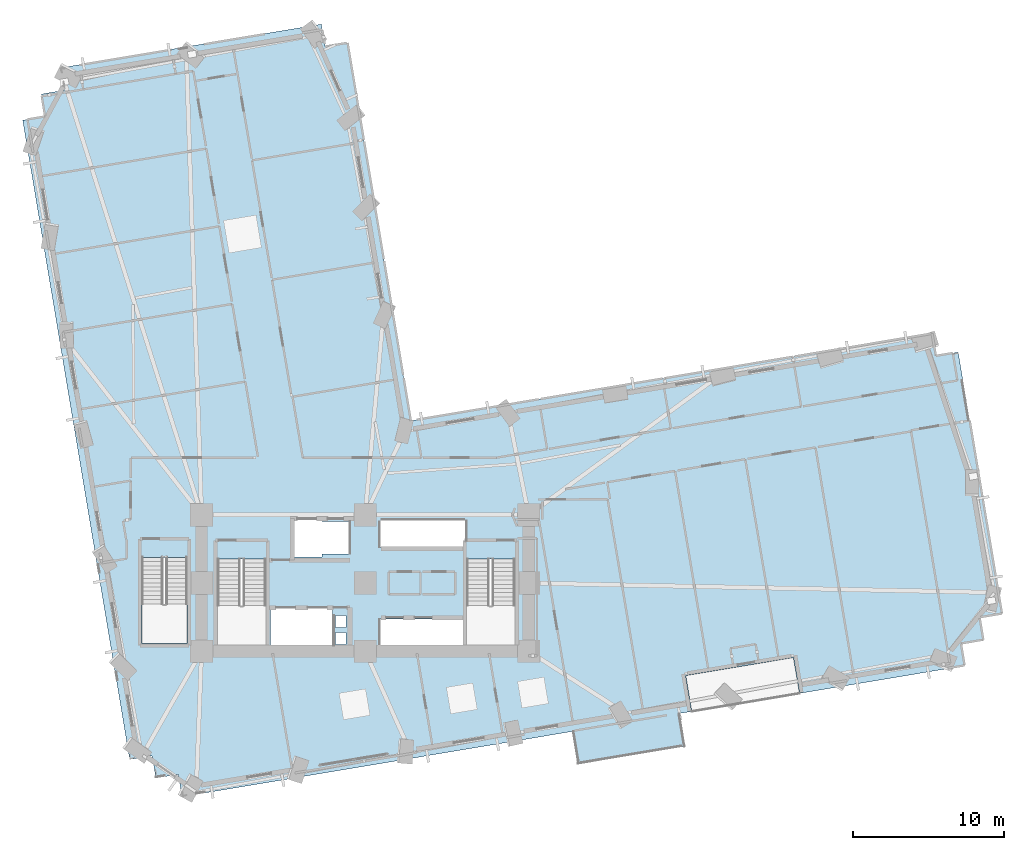
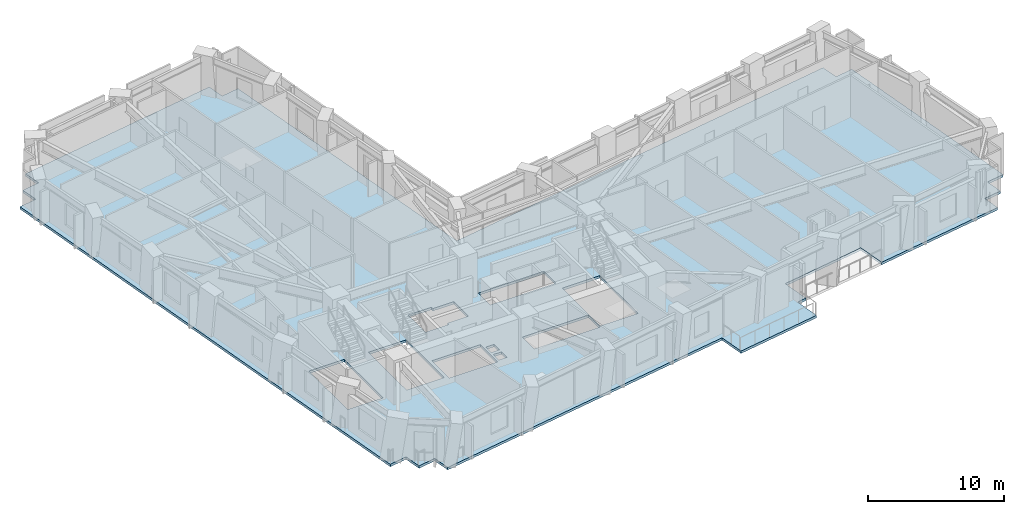
# One storey, part 5 of 16: 1 slab.
"""IFC4 building model written with IfcOpenShell, lengths in metres."""

import ifcopenshell
import ifcopenshell.guid

model = None  # the IFC model being written
_history = None  # IfcOwnerHistory: only IFC2X3 demands one
_inside = {}  # id of a spatial element -> (the spatial element, [elements in it])
_under = {}  # id of a project, library or spatial element -> (it, [spatial elements below it])
_declared = {}  # id of a project -> (the project, [libraries it declares])
_typed = {}  # id of a type object -> (the type object, [elements of that type])
_made_of = {}  # id of a material, layer set ... -> (it, [elements and type objects made of it])


def new_model(schema):
    """Start an empty IFC model of exactly this schema.

    Asked for "IFC4X3", IfcOpenShell would pick the latest addendum, in which some entities
    have other attributes; the version numbers below select the first issue.
    IFC2X3 requires an IfcOwnerHistory on every rooted entity: one is made here for all.
    """
    global model, _history
    if schema == "IFC4X3":
        model = ifcopenshell.file(schema_version=(4, 3, 0, 0))
    else:
        model = ifcopenshell.file(schema=schema)
    _inside.clear()
    _under.clear()
    _declared.clear()
    _typed.clear()
    _made_of.clear()
    _history = None
    if model.schema == "IFC2X3":
        org = make("IfcOrganization", Name="unknown")
        user = make(
            "IfcPersonAndOrganization",
            ThePerson=make("IfcPerson", FamilyName="unknown"),
            TheOrganization=org,
        )
        app = make(
            "IfcApplication",
            ApplicationDeveloper=org,
            Version="unknown",
            ApplicationFullName="unknown",
            ApplicationIdentifier="unknown",
        )
        _history = make(
            "IfcOwnerHistory",
            OwningUser=user,
            OwningApplication=app,
            ChangeAction="ADDED",
            CreationDate=0,
        )
    return model


def make(cls, **values):
    """One entity of the class cls with the attributes given. An attribute that is None is left unset."""
    return model.create_entity(
        cls, **{name: value for name, value in values.items() if value is not None}
    )


def rooted(cls, **values):
    """An entity with a GlobalId (a new one), such as an element, a storey or a relation."""
    return make(cls, GlobalId=ifcopenshell.guid.new(), OwnerHistory=_history, **values)


def si_unit(unit_type, name, prefix=None):
    """IfcSIUnit, for example si_unit("LENGTHUNIT", "METRE", prefix="MILLI")."""
    return make("IfcSIUnit", UnitType=unit_type, Prefix=prefix, Name=name)


def assignment(units):
    """IfcUnitAssignment: the units of a project."""
    return None if units is None else make("IfcUnitAssignment", Units=units)


def point(xyz):
    """IfcCartesianPoint."""
    return None if xyz is None else make("IfcCartesianPoint", Coordinates=xyz)


def direction(xyz):
    """IfcDirection."""
    return None if xyz is None else make("IfcDirection", DirectionRatios=xyz)


def frame(location, z_axis=None, x_axis=None):
    """IfcAxis2Placement3D, a coordinate frame: its origin and axes. An axis left out is left unset."""
    return make(
        "IfcAxis2Placement3D",
        Location=point(location),
        Axis=direction(z_axis),
        RefDirection=direction(x_axis),
    )


def origin():
    """The frame at (0, 0, 0) with its axes left unset."""
    return frame((0.0, 0.0, 0.0))


def place(relative_to, where):
    """IfcLocalPlacement: puts the frame where relative to a parent placement (None: the world)."""
    return make(
        "IfcLocalPlacement", PlacementRelTo=relative_to, RelativePlacement=where
    )


def context(
    kind, dimensions, precision=None, world=None, true_north=None, identifier=None
):
    """IfcGeometricRepresentationContext, for example the 3D "Model" context."""
    return make(
        "IfcGeometricRepresentationContext",
        ContextIdentifier=identifier,
        ContextType=kind,
        CoordinateSpaceDimension=dimensions,
        Precision=precision,
        WorldCoordinateSystem=world,
        TrueNorth=true_north,
    )


def subcontext(parent, identifier, kind, view, scale=None):
    """IfcGeometricRepresentationSubContext, for example "Body" below "Model"."""
    return make(
        "IfcGeometricRepresentationSubContext",
        ContextIdentifier=identifier,
        ContextType=kind,
        ParentContext=parent,
        TargetScale=scale,
        TargetView=view,
    )


def project(units=None, contexts=None):
    """IfcProject with its units and contexts."""
    return rooted(
        "IfcProject",
        Name="project",
        RepresentationContexts=contexts,
        UnitsInContext=assignment(units),
    )


def spatial(cls, under=None, at=None, **own):
    """A site, building, storey or space (cls), placed at a placement, below another one or the project."""
    s = rooted(cls, ObjectPlacement=at, **own)
    if under is not None:
        _under.setdefault(under.id(), (under, []))[1].append(s)
    return s


def polyline(points):
    """IfcPolyline through the points."""
    return make("IfcPolyline", Points=[point(p) for p in points])


def outline(outer, holes=None, kind="AREA"):
    """IfcArbitraryClosedProfileDef: a profile drawn as a closed curve; with holes, ...WithVoids."""
    if holes is None:
        return make("IfcArbitraryClosedProfileDef", ProfileType=kind, OuterCurve=outer)
    return make(
        "IfcArbitraryProfileDefWithVoids",
        ProfileType=kind,
        OuterCurve=outer,
        InnerCurves=holes,
    )


def extrude(swept, where, along, depth):
    """IfcExtrudedAreaSolid: the profile swept, set in the frame where, extruded along a direction by depth."""
    return make(
        "IfcExtrudedAreaSolid",
        SweptArea=swept,
        Position=where,
        ExtrudedDirection=direction(along),
        Depth=depth,
    )


def shape(context_of_items, identifier, shape_type, items):
    """IfcShapeRepresentation: the items that make up one representation, for example the "Body"."""
    return make(
        "IfcShapeRepresentation",
        ContextOfItems=context_of_items,
        RepresentationIdentifier=identifier,
        RepresentationType=shape_type,
        Items=items,
    )


def material(Name=None, Category=None):
    """IfcMaterial."""
    return make("IfcMaterial", Name=Name, Category=Category)


def layer(
    of_material, thickness, ventilated=None, Name=None, Category=None, Priority=None
):
    """IfcMaterialLayer: one layer of a wall or slab, of a material (None: an air gap)."""
    return make(
        "IfcMaterialLayer",
        Material=of_material,
        LayerThickness=thickness,
        IsVentilated=ventilated,
        Name=Name,
        Category=Category,
        Priority=Priority,
    )


def layer_set(layers, Name=None):
    """IfcMaterialLayerSet."""
    return make("IfcMaterialLayerSet", MaterialLayers=layers, LayerSetName=Name)


def made_of(thing, what):
    """Note that an element or type object is made of a material, layer set ...; save() writes the relation."""
    if what is not None:
        _made_of.setdefault(what.id(), (what, []))[1].append(thing)
    return thing


def type_object(cls, material=None, **own):
    """A type object (cls), such as IfcWallType, which elements share."""
    return made_of(rooted(cls, **own), material)


def element(
    cls,
    number,
    at=None,
    inside=None,
    cuts=None,
    type_object=None,
    material=None,
    context=None,
    identifier="Body",
    shape_type=None,
    held_by="IfcProductDefinitionShape",
    body=None,
    shapes=None,
    **own,
):
    """One element of the class cls, such as IfcWall. Its Tag is "e" and its number.

    at: its placement. inside: the storey or other place that contains it. cuts: it is an
    opening in that element (IfcRelVoidsElement). A single representation is given by context,
    identifier, shape_type and body (its items); several are given by shapes. held_by: the class
    of the entity that holds the representations. save() writes the other relations.
    """
    e = rooted(cls, Tag="e%d" % number, ObjectPlacement=at, **own)
    if body is not None:
        shapes = [shape(context, identifier, shape_type, body)]
    if shapes is not None:
        e.Representation = make(held_by, Representations=shapes)
    if inside is not None:
        _inside.setdefault(inside.id(), (inside, []))[1].append(e)
    if cuts is not None:
        rooted(
            "IfcRelVoidsElement", RelatingBuildingElement=cuts, RelatedOpeningElement=e
        )
    if type_object is not None:
        _typed.setdefault(type_object.id(), (type_object, []))[1].append(e)
    return made_of(e, material)


def aggregate(whole, parts):
    """IfcRelAggregates: a whole, such as a stair, and the parts it consists of."""
    return rooted("IfcRelAggregates", RelatingObject=whole, RelatedObjects=parts)


def save(model, path):
    """Write the relations noted so far, then the file.

    IfcRelAggregates (storeys below a building ...), IfcRelContainedInSpatialStructure (elements
    in a storey), IfcRelDefinesByType, IfcRelAssociatesMaterial and IfcRelDeclares: one each for
    every whole, place, type object, material and project.
    """
    for whole, parts in _under.values():
        aggregate(whole, parts)
    for where, things in _inside.values():
        rooted(
            "IfcRelContainedInSpatialStructure",
            RelatedElements=things,
            RelatingStructure=where,
        )
    for kind, things in _typed.values():
        rooted("IfcRelDefinesByType", RelatedObjects=things, RelatingType=kind)
    for what, things in _made_of.values():
        rooted("IfcRelAssociatesMaterial", RelatedObjects=things, RelatingMaterial=what)
    for by, libraries in _declared.values():
        rooted("IfcRelDeclares", RelatingContext=by, RelatedDefinitions=libraries)
    model.write(path)


model = new_model("IFC4")

# Units and contexts
model_context = context("Model", 3, precision=1e-05, world=origin(), true_north=direction((0.0, 1.0)))
body_context = subcontext(model_context, "Body", "Model", "MODEL_VIEW")
ifc_project = project(units=[si_unit("LENGTHUNIT", "METRE"), si_unit("AREAUNIT", "SQUARE_METRE"), si_unit("VOLUMEUNIT", "CUBIC_METRE"), si_unit("PLANEANGLEUNIT", "RADIAN"), si_unit("MASSUNIT", "GRAM", prefix="KILO")], contexts=[model_context])

# Site, building, storey
site_placement = place(None, origin())
site = spatial("IfcSite", under=ifc_project, at=site_placement, CompositionType="ELEMENT")
building_placement = place(site_placement, origin())
building = spatial("IfcBuilding", under=site, at=building_placement, Name="Gaonmaruhae Medical Tower", CompositionType="ELEMENT")
storey_placement = place(building_placement, frame((0.0, 0.0, 63.0)))
storey = spatial("IfcBuildingStorey", under=building, at=storey_placement, Name="L14", CompositionType="ELEMENT", Elevation=63.0)

# Slab
ifc_material = material(Name="Concrete C40/50", Category="concrete")
ifc_layer = layer(ifc_material, 0.219970703125)
ifc_layer_set = layer_set([ifc_layer], Name="Concrete C40/50")
slab_type = type_object("IfcSlabType", Name="FS-220 Clinical Ward Composite Floor Slab", PredefinedType="FLOOR", material=ifc_layer_set)
slab_placement = place(storey_placement, frame((0.0, 0.0, -0.219970703125)))
element("IfcSlab", 1, at=slab_placement, inside=storey, type_object=slab_type, Name="L14 Structural Slab 1", PredefinedType="FLOOR", context=body_context, shape_type="SweptSolid", body=[
    extrude(outline(polyline([(12.45849609375, -0.333984375), (10.97900390625, -0.58154296875), (10.7314453125, 0.897705078125), (9.251953125, 0.650146484375), (2.18798828125, 42.86328125), (3.667236328125, 43.11083984375), (3.419921875, 44.590087890625), (4.899169921875, 44.837890625), (4.651611328125, 46.317138671875), (21.91162109375, 49.20556640625), (22.1591796875, 47.72607421875), (23.638671875, 47.9736328125), (27.814208984375, 23.020751953125), (62.235595703125, 28.78076171875), (62.4833984375, 27.301513671875), (63.962646484375, 27.549072265625), (66.85107421875, 10.2890625), (65.37158203125, 10.04150390625), (65.619140625, 8.56201171875), (64.1396484375, 8.314453125), (64.38720703125, 6.8349609375), (53.47509765625, 5.0087890625), (53.078857421875, 7.3759765625), (45.977783203125, 6.1875), (46.373779296875, 3.820556640625), (45.584716796875, 3.6884765625), (45.947998046875, 1.518798828125), (38.8466796875, 0.330322265625), (38.4833984375, 2.500244140625), (12.705810546875, -1.8134765625), (12.45849609375, -0.333984375)]), holes=[polyline([(23.550048828125, 8.25), (22.85009765625, 8.25), (22.85009765625, 9.050048828125), (23.550048828125, 9.050048828125), (23.550048828125, 8.25)]), polyline([(25.824951171875, 9.925048828125), (31.425048828125, 9.925048828125), (31.425048828125, 8.175048828125), (25.824951171875, 8.175048828125), (25.824951171875, 9.925048828125)]), polyline([(22.64990234375, 10.625), (22.64990234375, 8.074951171875), (18.550048828125, 8.074951171875), (18.550048828125, 10.625), (22.64990234375, 10.625)]), polyline([(23.550048828125, 9.35009765625), (22.85009765625, 9.35009765625), (22.85009765625, 10.14990234375), (23.550048828125, 10.14990234375), (23.550048828125, 9.35009765625)]), polyline([(15.050048828125, 13.889892578125), (18.25, 13.889892578125), (18.25, 8.300048828125), (15.050048828125, 8.300048828125), (15.050048828125, 13.889892578125)]), polyline([(31.5, 13.889892578125), (34.699951171875, 13.889892578125), (34.699951171875, 8.300048828125), (31.5, 8.300048828125), (31.5, 13.889892578125)]), polyline([(10.050048828125, 13.989990234375), (13.050048828125, 13.989990234375), (13.050048828125, 8.300048828125), (10.050048828125, 8.300048828125), (10.050048828125, 13.989990234375)]), polyline([(21.949951171875, 14.02490234375), (19.949951171875, 14.02490234375), (19.949951171875, 16.574951171875), (21.949951171875, 16.574951171875), (21.949951171875, 16.375), (23.72509765625, 16.375), (23.72509765625, 14.22509765625), (21.949951171875, 14.22509765625), (21.949951171875, 14.02490234375)]), polyline([(31.425048828125, 16.425048828125), (31.425048828125, 14.675048828125), (25.824951171875, 14.675048828125), (25.824951171875, 16.425048828125), (31.425048828125, 16.425048828125)])]), origin(), (0.0, 0.0, 1.0), 0.219970703125),
])

save(model, "model.ifc")
